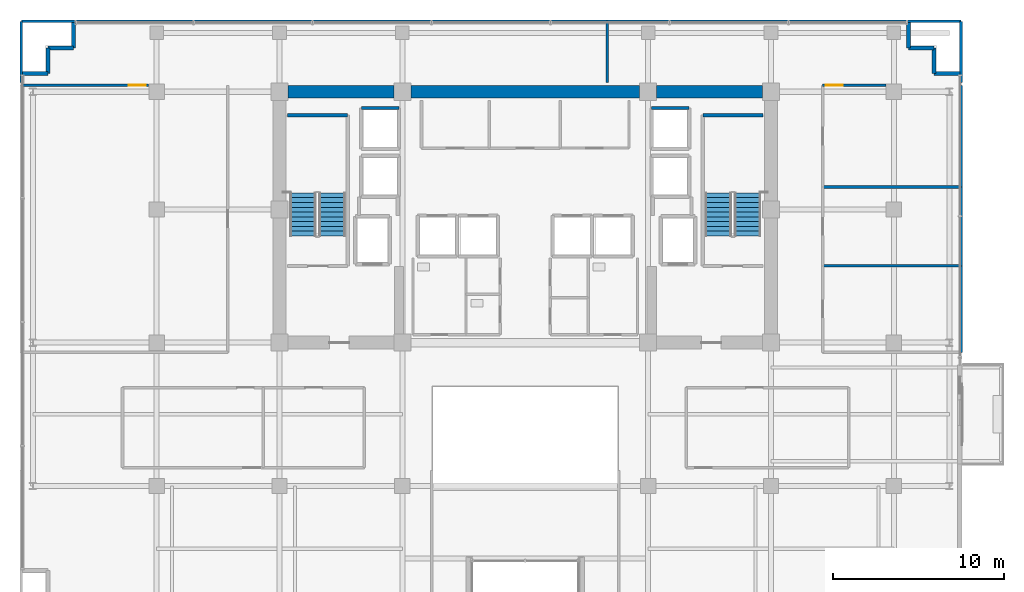
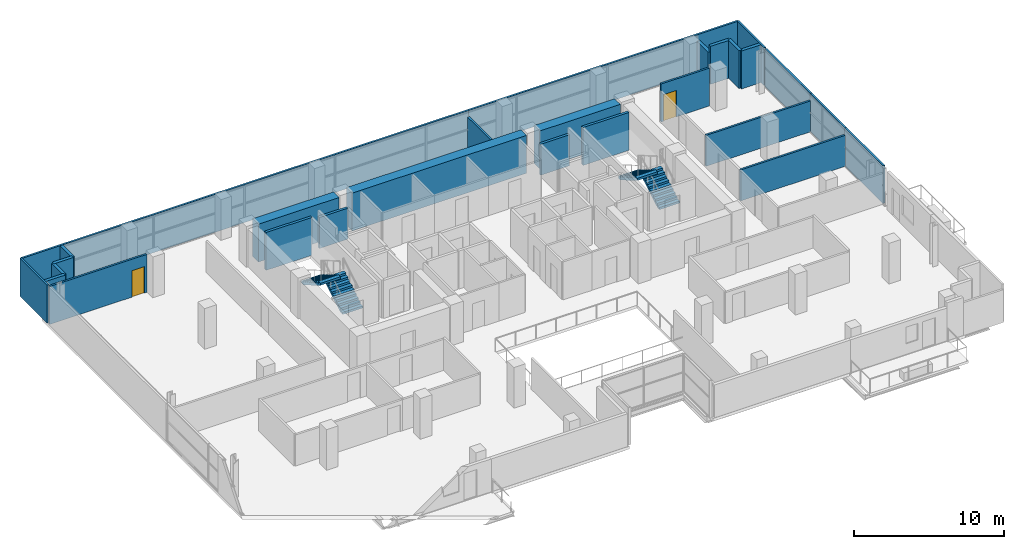
# One storey, part 22 of 25: 27 walls, 4 stair flights, 2 doors, 2 openings, 2 elements without a shape of their own.
"""IFC4 building model written with IfcOpenShell, lengths in metres."""

from ifc_helpers import new_model, si_unit, direction, frame, frame_2d, origin, place, context, subcontext, project, spatial, polyline, rectangle, outline, extrude, source, transform, mapped, material, layer, layer_set, type_object, element, fill, aggregate, save


model = new_model("IFC4")

# Units and contexts
model_context = context("Model", 3, precision=1e-05, world=origin(), true_north=direction((0.0, 1.0)))
body_context = subcontext(model_context, "Body", "Model", "MODEL_VIEW")
ifc_project = project(units=[si_unit("LENGTHUNIT", "METRE"), si_unit("AREAUNIT", "SQUARE_METRE"), si_unit("VOLUMEUNIT", "CUBIC_METRE"), si_unit("PLANEANGLEUNIT", "RADIAN"), si_unit("MASSUNIT", "GRAM", prefix="KILO")], contexts=[model_context])

# Site, building, storey
site_placement = place(None, origin())
site = spatial("IfcSite", under=ifc_project, at=site_placement, CompositionType="ELEMENT")
building_placement = place(site_placement, origin())
building = spatial("IfcBuilding", under=site, at=building_placement, Name="Zarnakvel Exchange Tower", CompositionType="ELEMENT")
storey_placement = place(building_placement, frame((0.0, 0.0, 100.0)))
storey = spatial("IfcBuildingStorey", under=building, at=storey_placement, Name="L27", CompositionType="ELEMENT", Elevation=100.0)

# Walls
ifc_material_1 = material(Name="Concrete C60/75", Category="concrete")
ifc_layer_1 = layer(ifc_material_1, 0.75)
ifc_layer_set_1 = layer_set([ifc_layer_1], Name="Concrete C60/75")
wall_type_1 = type_object("IfcWallType", Name="CW-C3", PredefinedType="SHEAR", material=ifc_layer_set_1)
wall_1_placement = place(storey_placement, frame((-13.89990234375, 13.5, 0.0), z_axis=(0.0, 0.0, 1.0), x_axis=(1.0, 0.0, 0.0)))
element("IfcWall", 1, at=wall_1_placement, inside=storey, type_object=wall_type_1, Name="L27 Rear Core Shear Wall N1 (CW-C3)", PredefinedType="SHEAR", context=body_context, shape_type="SweptSolid", body=[
    extrude(rectangle(XDim=6.199951171875, YDim=0.75, at=frame_2d((3.10009765625, 0.0))), origin(), (0.0, 0.0, 1.0), 3.074951171875),
])
wall_2_placement = place(storey_placement, frame((-6.699951171875, 13.5, 0.0), z_axis=(0.0, 0.0, 1.0), x_axis=(1.0, 0.0, 0.0)))
element("IfcWall", 2, at=wall_2_placement, inside=storey, type_object=wall_type_1, Name="L27 Rear Core Shear Wall N2 (CW-C3)", PredefinedType="SHEAR", context=body_context, shape_type="SweptSolid", body=[
    extrude(rectangle(XDim=13.39990234375, YDim=0.75, at=frame_2d((6.699951171875, 0.0))), origin(), (0.0, 0.0, 1.0), 3.074951171875),
])
wall_3_placement = place(storey_placement, frame((7.699951171875, 13.5, 0.0), z_axis=(0.0, 0.0, 1.0), x_axis=(1.0, 0.0, 0.0)))
element("IfcWall", 3, at=wall_3_placement, inside=storey, type_object=wall_type_1, Name="L27 Rear Core Shear Wall N3 (CW-C3)", PredefinedType="SHEAR", context=body_context, shape_type="SweptSolid", body=[
    extrude(rectangle(XDim=6.199951171875, YDim=0.75, at=frame_2d((3.10009765625, 0.0))), origin(), (0.0, 0.0, 1.0), 3.074951171875),
])
ifc_material_2 = material(Name="Precast concrete C40/50", Category="concrete")
ifc_layer_2 = layer(ifc_material_2, 0.239990234375)
ifc_layer_set_2 = layer_set([ifc_layer_2], Name="Precast concrete C40/50")
wall_type_2 = type_object("IfcWallType", Name="EW-02", PredefinedType="SOLIDWALL", material=ifc_layer_set_2)
for number, where, z_axis, x_axis, name in (
    (4, (-27.9599609375, 14.56005859375, 0.0), (0.0, 0.0, 1.0), (-1.0, 0.0, 0.0), "L27 Exterior Precast Spandrel Wall EWC-L27-01 (EW-02)"),
    (5, (-27.9599609375, 16.06005859375, 0.0), (0.0, 0.0, 1.0), (0.0, -1.0, 0.0), "L27 Exterior Precast Spandrel Wall EWC-L27-02 (EW-02)"),
    (6, (-26.4599609375, 16.06005859375, 0.0), (0.0, 0.0, 1.0), (-1.0, 0.0, 0.0), "L27 Exterior Precast Spandrel Wall EWC-L27-03 (EW-02)"),
    (7, (-26.4599609375, 17.56005859375, 0.0), (0.0, 0.0, 1.0), (0.0, -1.0, 0.0), "L27 Exterior Precast Spandrel Wall EWC-L27-04 (EW-02)"),
):
    element("IfcWall", number, at=place(storey_placement, frame(where, z_axis=z_axis, x_axis=x_axis)), inside=storey, type_object=wall_type_2, Name=name, PredefinedType="SOLIDWALL", context=body_context, shape_type="SweptSolid", body=[
        extrude(rectangle(XDim=1.5, YDim=0.239990234375, at=frame_2d((0.75, 0.0))), origin(), (0.0, 0.0, 1.0), 3.074951171875),
    ])
wall_4_placement = place(storey_placement, frame((22.4599609375, 16.06005859375, 0.0), z_axis=(0.0, 0.0, 1.0), x_axis=(0.0, 1.0, 0.0)))
element("IfcWall", 8, at=wall_4_placement, inside=storey, type_object=wall_type_2, Name="L27 Exterior Precast Spandrel Wall EWC-L27-05 (EW-02)", PredefinedType="SOLIDWALL", context=body_context, shape_type="SweptSolid", body=[
    extrude(rectangle(XDim=1.5, YDim=0.239990234375, at=frame_2d((0.75, 0.0))), origin(), (0.0, 0.0, 1.0), 2.56494140625),
])
for number, where, z_axis, x_axis, name in (
    (9, (23.9599609375, 16.06005859375, 0.0), (0.0, 0.0, 1.0), (-1.0, 0.0, 0.0), "L27 Exterior Precast Spandrel Wall EWC-L27-06 (EW-02)"),
    (10, (23.9599609375, 14.56005859375, 0.0), (0.0, 0.0, 1.0), (0.0, 1.0, 0.0), "L27 Exterior Precast Spandrel Wall EWC-L27-07 (EW-02)"),
    (11, (25.4599609375, 14.56005859375, 0.0), (0.0, 0.0, 1.0), (-1.0, 0.0, 0.0), "L27 Exterior Precast Spandrel Wall EWC-L27-08 (EW-02)"),
):
    element("IfcWall", number, at=place(storey_placement, frame(where, z_axis=z_axis, x_axis=x_axis)), inside=storey, type_object=wall_type_2, Name=name, PredefinedType="SOLIDWALL", context=body_context, shape_type="SweptSolid", body=[
        extrude(rectangle(XDim=1.5, YDim=0.239990234375, at=frame_2d((0.75, 0.0))), origin(), (0.0, 0.0, 1.0), 3.074951171875),
    ])

# Wall, opening, door
ifc_material_3 = material(Name="Fire-Rated Gypsum Stud Partition", Category="gypsum")
ifc_layer_3 = layer(ifc_material_3, 0.14990234375)
ifc_layer_set_3 = layer_set([ifc_layer_3], Name="Fire-Rated Gypsum Stud Partition")
wall_type_3 = type_object("IfcWallType", Name="PT-01", PredefinedType="PARTITIONING", material=ifc_layer_set_3)
wall_5_placement = place(storey_placement, frame((-29.530029296875, 13.8798828125, 0.0), z_axis=(0.0, 0.0, 1.0), x_axis=(1.0, 0.0, 0.0)))
wall_5 = element("IfcWall", 12, at=wall_5_placement, inside=storey, type_object=wall_type_3, Name="L27 Partition Wall PWALL-L27-051 (PT-01)", PredefinedType="PARTITIONING", context=body_context, shape_type="SweptSolid", body=[
    extrude(rectangle(XDim=7.4599609375, YDim=0.14990234375, at=frame_2d((3.72998046875, 0.0))), origin(), (0.0, 0.0, 1.0), 3.074951171875),
])
opening_1_placement = place(wall_5_placement, frame((6.300048828125, 0.0, 0.0)))
opening_1 = element("IfcOpeningElement", 13, at=opening_1_placement, cuts=wall_5, Name="Opening D-L27-23", PredefinedType="OPENING", context=body_context, shape_type="SweptSolid", body=[
    extrude(rectangle(XDim=0.97998046875, YDim=2.14990234375, at=frame_2d((0.489990234375, 1.074951171875))), frame((0.0, 0.0849609375, 0.0), z_axis=(0.0, -1.0, 0.0), x_axis=(1.0, 0.0, 0.0)), (0.0, 0.0, 1.0), 0.169921875),
])
ifc_material_4 = material(Name="Timber Acoustic Veneer", Category="wood")
door_type = type_object("IfcDoorType", Name="DT-05", OperationType="NOTDEFINED", PredefinedType="DOOR", material=ifc_material_4)
shared_shape = source(origin(), body_context, "Body", "SweptSolid", [
    extrude(rectangle(XDim=0.97998046875, YDim=2.14990234375, at=frame_2d((0.489990234375, 1.074951171875))), frame((0.0, 0.02490234375, 0.0), z_axis=(0.0, -1.0, 0.0), x_axis=(1.0, 0.0, 0.0)), (0.0, 0.0, 1.0), 0.050048828125),
])
door_1_placement = place(opening_1_placement, origin())
door_1 = element("IfcDoor", 14, at=door_1_placement, inside=storey, type_object=door_type, Name="L27 Settlement Office Door D-L27-23", OperationType="SINGLE_SWING_RIGHT", OverallHeight=2.14990234375, OverallWidth=0.97998046875, PredefinedType="DOOR", context=body_context, shape_type="MappedRepresentation", body=[
    mapped(shared_shape, transform((0.0, 0.0, 0.0), x_axis=(1.0, 0.0, 0.0), y_axis=(0.0, 1.0, 0.0), z_axis=(0.0, 0.0, 1.0), scale=1.0)),
])
fill(opening_1, door_1)

# Walls
wall_6_placement = place(storey_placement, frame((17.429931640625, 3.2978515625, 0.0), z_axis=(0.0, 0.0, 1.0), x_axis=(1.0, 0.0, 0.0)))
element("IfcWall", 15, at=wall_6_placement, inside=storey, type_object=wall_type_3, Name="L27 Partition Wall PWALL-L27-055 (PT-01)", PredefinedType="PARTITIONING", context=body_context, shape_type="SweptSolid", body=[
    extrude(rectangle(XDim=8.10009765625, YDim=0.14990234375, at=frame_2d((4.050048828125, 0.0))), origin(), (0.0, 0.0, 1.0), 2.514892578125),
])
wall_7_placement = place(storey_placement, frame((25.530029296875, 3.2978515625, 0.0), z_axis=(0.0, 0.0, 1.0), x_axis=(0.0, -1.0, 0.0)))
element("IfcWall", 16, at=wall_7_placement, inside=storey, type_object=wall_type_3, Name="L27 Partition Wall PWALL-L27-057 (PT-01)", PredefinedType="PARTITIONING", context=body_context, shape_type="SweptSolid", body=[
    extrude(rectangle(XDim=5.06787109375, YDim=0.14990234375, at=frame_2d((2.533935546875, 0.0))), origin(), (0.0, 0.0, 1.0), 3.074951171875),
])
wall_8_placement = place(storey_placement, frame((17.429931640625, 7.919677734375, 0.0), z_axis=(0.0, 0.0, 1.0), x_axis=(1.0, 0.0, 0.0)))
element("IfcWall", 17, at=wall_8_placement, inside=storey, type_object=wall_type_3, Name="L27 Partition Wall PWALL-L27-058 (PT-01)", PredefinedType="PARTITIONING", context=body_context, shape_type="SweptSolid", body=[
    extrude(rectangle(XDim=8.10009765625, YDim=0.14990234375, at=frame_2d((4.050048828125, 0.0))), origin(), (0.0, 0.0, 1.0), 2.514892578125),
])
wall_9_placement = place(storey_placement, frame((25.530029296875, 7.919677734375, 0.0), z_axis=(0.0, 0.0, 1.0), x_axis=(0.0, -1.0, 0.0)))
element("IfcWall", 18, at=wall_9_placement, inside=storey, type_object=wall_type_3, Name="L27 Partition Wall PWALL-L27-060 (PT-01)", PredefinedType="PARTITIONING", context=body_context, shape_type="SweptSolid", body=[
    extrude(rectangle(XDim=4.621826171875, YDim=0.14990234375, at=frame_2d((2.31103515625, 0.0))), origin(), (0.0, 0.0, 1.0), 3.074951171875),
])

# Wall, opening, door
wall_10_placement = place(storey_placement, frame((17.429931640625, 13.8798828125, 0.0), z_axis=(0.0, 0.0, 1.0), x_axis=(1.0, 0.0, 0.0)))
wall_10 = element("IfcWall", 19, at=wall_10_placement, inside=storey, type_object=wall_type_3, Name="L27 Partition Wall PWALL-L27-061 (PT-01)", PredefinedType="PARTITIONING", context=body_context, shape_type="SweptSolid", body=[
    extrude(rectangle(XDim=3.699951171875, YDim=0.14990234375, at=frame_2d((1.85009765625, 0.0))), origin(), (0.0, 0.0, 1.0), 3.074951171875),
])
opening_2_placement = place(wall_10_placement, frame((0.179931640625, 0.0, 0.0)))
opening_2 = element("IfcOpeningElement", 20, at=opening_2_placement, cuts=wall_10, Name="Opening D-L27-24", PredefinedType="OPENING", context=body_context, shape_type="SweptSolid", body=[
    extrude(rectangle(XDim=0.97998046875, YDim=2.14990234375, at=frame_2d((0.489990234375, 1.074951171875))), frame((0.0, 0.0849609375, 0.0), z_axis=(0.0, -1.0, 0.0), x_axis=(1.0, 0.0, 0.0)), (0.0, 0.0, 1.0), 0.169921875),
])
door_2_placement = place(opening_2_placement, origin())
door_2 = element("IfcDoor", 21, at=door_2_placement, inside=storey, type_object=door_type, Name="L27 Reception Lounge Door D-L27-24", OperationType="SINGLE_SWING_LEFT", OverallHeight=2.14990234375, OverallWidth=0.97998046875, PredefinedType="DOOR", context=body_context, shape_type="MappedRepresentation", body=[
    mapped(shared_shape, transform((0.0, 0.0, 0.0), x_axis=(1.0, 0.0, 0.0), y_axis=(0.0, 1.0, 0.0), z_axis=(0.0, 0.0, 1.0), scale=1.0)),
])
fill(opening_2, door_2)

# Walls
wall_11_placement = place(storey_placement, frame((25.530029296875, 13.8798828125, 0.0), z_axis=(0.0, 0.0, 1.0), x_axis=(0.0, -1.0, 0.0)))
element("IfcWall", 22, at=wall_11_placement, inside=storey, type_object=wall_type_3, Name="L27 Partition Wall PWALL-L27-063 (PT-01)", PredefinedType="PARTITIONING", context=body_context, shape_type="SweptSolid", body=[
    extrude(rectangle(XDim=5.960205078125, YDim=0.14990234375, at=frame_2d((2.97998046875, 0.0))), origin(), (0.0, 0.0, 1.0), 3.074951171875),
])
wall_12_placement = place(storey_placement, frame((-29.530029296875, 17.6298828125, 0.0), z_axis=(0.0, 0.0, 1.0), x_axis=(1.0, 0.0, 0.0)))
element("IfcWall", 23, at=wall_12_placement, inside=storey, type_object=wall_type_3, Name="L27 Partition Wall PWALL-L27-064 (PT-01)", PredefinedType="PARTITIONING", context=body_context, shape_type="SweptSolid", body=[
    extrude(rectangle(XDim=34.330078125, YDim=0.14990234375, at=frame_2d((17.1650390625, 0.0))), origin(), (0.0, 0.0, 1.0), 3.074951171875),
])
wall_13_placement = place(storey_placement, frame((-29.530029296875, 14.030029296875, 0.0), z_axis=(0.0, 0.0, 1.0), x_axis=(0.0, 1.0, 0.0)))
element("IfcWall", 24, at=wall_13_placement, inside=storey, type_object=wall_type_3, Name="L27 Partition Wall PWALL-L27-065 (PT-01)", PredefinedType="PARTITIONING", context=body_context, shape_type="SweptSolid", body=[
    extrude(rectangle(XDim=3.599853515625, YDim=0.14990234375, at=frame_2d((1.7998046875, 0.0))), origin(), (0.0, 0.0, 1.0), 3.074951171875),
])
wall_14_placement = place(storey_placement, frame((4.800048828125, 17.6298828125, 0.0), z_axis=(0.0, 0.0, 1.0), x_axis=(0.0, -1.0, 0.0)))
element("IfcWall", 25, at=wall_14_placement, inside=storey, type_object=wall_type_3, Name="L27 Partition Wall PWALL-L27-066 (PT-01)", PredefinedType="PARTITIONING", context=body_context, shape_type="SweptSolid", body=[
    extrude(rectangle(XDim=3.599853515625, YDim=0.14990234375, at=frame_2d((1.7998046875, 0.0))), origin(), (0.0, 0.0, 1.0), 2.56494140625),
])
wall_15_placement = place(storey_placement, frame((4.800048828125, 17.6298828125, 0.0), z_axis=(0.0, 0.0, 1.0), x_axis=(1.0, 0.0, 0.0)))
element("IfcWall", 26, at=wall_15_placement, inside=storey, type_object=wall_type_3, Name="L27 Partition Wall PWALL-L27-067 (PT-01)", PredefinedType="PARTITIONING", context=body_context, shape_type="SweptSolid", body=[
    extrude(rectangle(XDim=20.72998046875, YDim=0.14990234375, at=frame_2d((10.364990234375, 0.0))), origin(), (0.0, 0.0, 1.0), 3.074951171875),
])
wall_16_placement = place(storey_placement, frame((25.530029296875, 17.6298828125, 0.0), z_axis=(0.0, 0.0, 1.0), x_axis=(0.0, -1.0, 0.0)))
element("IfcWall", 27, at=wall_16_placement, inside=storey, type_object=wall_type_3, Name="L27 Partition Wall PWALL-L27-068 (PT-01)", PredefinedType="PARTITIONING", context=body_context, shape_type="SweptSolid", body=[
    extrude(rectangle(XDim=3.599853515625, YDim=0.14990234375, at=frame_2d((1.7998046875, 0.0))), origin(), (0.0, 0.0, 1.0), 3.074951171875),
])
ifc_material_5 = material(Name="Concrete C40/50", Category="concrete")
ifc_layer_4 = layer(ifc_material_5, 0.199951171875)
ifc_layer_set_4 = layer_set([ifc_layer_4], Name="Concrete C40/50")
wall_type_4 = type_object("IfcWallType", Name="SW-01", PredefinedType="SOLIDWALL", material=ifc_layer_set_4)
for number, where, z_axis, x_axis, name in (
    (28, (-9.60009765625, 12.550048828125, 0.0), (0.0, 0.0, 1.0), (1.0, 0.0, 0.0), "L27 PL-10 Hoistway Wall North"),
    (29, (7.39990234375, 12.550048828125, 0.0), (0.0, 0.0, 1.0), (1.0, 0.0, 0.0), "L27 PL-12 Hoistway Wall North"),
):
    element("IfcWall", number, at=place(storey_placement, frame(where, z_axis=z_axis, x_axis=x_axis)), inside=storey, type_object=wall_type_4, Name=name, PredefinedType="SOLIDWALL", context=body_context, shape_type="SweptSolid", body=[
        extrude(rectangle(XDim=2.2001953125, YDim=0.199951171875, at=frame_2d((1.10009765625, 0.0))), origin(), (0.0, 0.0, 1.0), 2.514892578125),
    ])
ifc_layer_5 = layer(ifc_material_5, 0.199951171875)
ifc_layer_set_5 = layer_set([ifc_layer_5], Name="Concrete C40/50")
wall_type_5 = type_object("IfcWallType", Name="SW-02", PredefinedType="SOLIDWALL", material=ifc_layer_set_5)
for number, where, z_axis, x_axis, name in (
    (30, (-13.929931640625, 12.1298828125, 0.0), (0.0, 0.0, 1.0), (1.0, 0.0, 0.0), "L27 Stairwell Core Wall PWALL-L27-002 (SW-02)"),
    (31, (10.409912109375, 12.1298828125, 0.0), (0.0, 0.0, 1.0), (1.0, 0.0, 0.0), "L27 Stairwell Core Wall PWALL-L27-005 (SW-02)"),
):
    element("IfcWall", number, at=place(storey_placement, frame(where, z_axis=z_axis, x_axis=x_axis)), inside=storey, type_object=wall_type_5, Name=name, PredefinedType="SOLIDWALL", context=body_context, shape_type="SweptSolid", body=[
        extrude(rectangle(XDim=3.52001953125, YDim=0.199951171875, at=frame_2d((1.760009765625, 0.0))), origin(), (0.0, 0.0, 1.0), 3.074951171875),
    ])

# Stair, stair flights
stair_type = type_object("IfcStairType", Name="STR-01", PredefinedType="HALF_TURN_STAIR", material=ifc_material_5)
stair_1_placement = place(storey_placement, origin())
stair_1 = element("IfcStair", 32, at=stair_1_placement, inside=storey, type_object=stair_type, Name="L27 Protected Core Exit Stair ST-01", PredefinedType="HALF_TURN_STAIR")
stair_flight_type = type_object("IfcStairFlightType", Name="FLT-01", PredefinedType="STRAIGHT", material=ifc_material_5)
stair_flight_1_placement = place(storey_placement, frame((-11.31494140625, 5.050048828125, 0.0), z_axis=(0.0, 0.0, 1.0), x_axis=(0.0, 1.0, 0.0)))
stair_flight_1 = element("IfcStairFlight", 33, at=stair_flight_1_placement, type_object=stair_flight_type, Name="ST-01 flight 1", NumberOfRisers=10, NumberOfTreads=9, PredefinedType="STRAIGHT", RiserHeight=0.165, TreadLength=0.28, context=body_context, shape_type="SweptSolid", body=[
    extrude(outline(polyline([(0.0, 0.0), (0.0, 0.1650390625), (0.280029296875, 0.1650390625), (0.280029296875, 0.330078125), (0.56005859375, 0.330078125), (0.56005859375, 0.4951171875), (0.840087890625, 0.4951171875), (0.840087890625, 0.659912109375), (1.1201171875, 0.659912109375), (1.1201171875, 0.824951171875), (1.39990234375, 0.824951171875), (1.39990234375, 0.989990234375), (1.679931640625, 0.989990234375), (1.679931640625, 1.155029296875), (1.9599609375, 1.155029296875), (1.9599609375, 1.320068359375), (2.239990234375, 1.320068359375), (2.239990234375, 1.485107421875), (2.52001953125, 1.485107421875), (2.52001953125, 1.64990234375), (2.52001953125, 1.31103515625), (0.295166015625, 0.0), (0.0, 0.0)])), frame((0.0, 0.77490234375, 0.0), z_axis=(0.0, -1.0, 0.0), x_axis=(1.0, 0.0, 0.0)), (0.0, 0.0, 1.0), 1.550048828125),
])
stair_flight_2_placement = place(storey_placement, frame((-13.02490234375, 7.570068359375, 1.64990234375), z_axis=(0.0, 0.0, 1.0), x_axis=(0.0, -1.0, 0.0)))
stair_flight_2 = element("IfcStairFlight", 34, at=stair_flight_2_placement, type_object=stair_flight_type, Name="ST-01 flight 2", NumberOfRisers=10, NumberOfTreads=9, PredefinedType="STRAIGHT", RiserHeight=0.165, TreadLength=0.28, context=body_context, shape_type="SweptSolid", body=[
    extrude(outline(polyline([(0.0, 0.0), (0.0, 0.1650390625), (0.280029296875, 0.1650390625), (0.280029296875, 0.330078125), (0.56005859375, 0.330078125), (0.56005859375, 0.4951171875), (0.840087890625, 0.4951171875), (0.840087890625, 0.659912109375), (1.1201171875, 0.659912109375), (1.1201171875, 0.824951171875), (1.39990234375, 0.824951171875), (1.39990234375, 0.989990234375), (1.679931640625, 0.989990234375), (1.679931640625, 1.155029296875), (1.9599609375, 1.155029296875), (1.9599609375, 1.320068359375), (2.239990234375, 1.320068359375), (2.239990234375, 1.485107421875), (2.52001953125, 1.485107421875), (2.52001953125, 1.64990234375), (2.52001953125, 1.31103515625), (0.295166015625, 0.0), (0.0, 0.0)])), frame((0.0, 0.77490234375, 0.0), z_axis=(0.0, -1.0, 0.0), x_axis=(1.0, 0.0, 0.0)), (0.0, 0.0, 1.0), 1.550048828125),
])
aggregate(stair_1, [stair_flight_1, stair_flight_2])

stair_2_placement = place(storey_placement, origin())
stair_2 = element("IfcStair", 35, at=stair_2_placement, inside=storey, type_object=stair_type, Name="L27 Protected Core Exit Stair ST-02", PredefinedType="HALF_TURN_STAIR")
stair_flight_3_placement = place(storey_placement, frame((13.02490234375, 5.050048828125, 0.0), z_axis=(0.0, 0.0, 1.0), x_axis=(0.0, 1.0, 0.0)))
stair_flight_3 = element("IfcStairFlight", 36, at=stair_flight_3_placement, type_object=stair_flight_type, Name="ST-02 flight 1", NumberOfRisers=10, NumberOfTreads=9, PredefinedType="STRAIGHT", RiserHeight=0.165, TreadLength=0.28, context=body_context, shape_type="SweptSolid", body=[
    extrude(outline(polyline([(0.0, 0.0), (0.0, 0.1650390625), (0.280029296875, 0.1650390625), (0.280029296875, 0.330078125), (0.56005859375, 0.330078125), (0.56005859375, 0.4951171875), (0.840087890625, 0.4951171875), (0.840087890625, 0.659912109375), (1.1201171875, 0.659912109375), (1.1201171875, 0.824951171875), (1.39990234375, 0.824951171875), (1.39990234375, 0.989990234375), (1.679931640625, 0.989990234375), (1.679931640625, 1.155029296875), (1.9599609375, 1.155029296875), (1.9599609375, 1.320068359375), (2.239990234375, 1.320068359375), (2.239990234375, 1.485107421875), (2.52001953125, 1.485107421875), (2.52001953125, 1.64990234375), (2.52001953125, 1.31103515625), (0.295166015625, 0.0), (0.0, 0.0)])), frame((0.0, 0.77490234375, 0.0), z_axis=(0.0, -1.0, 0.0), x_axis=(1.0, 0.0, 0.0)), (0.0, 0.0, 1.0), 1.550048828125),
])
stair_flight_4_placement = place(storey_placement, frame((11.31494140625, 7.570068359375, 1.64990234375), z_axis=(0.0, 0.0, 1.0), x_axis=(0.0, -1.0, 0.0)))
stair_flight_4 = element("IfcStairFlight", 37, at=stair_flight_4_placement, type_object=stair_flight_type, Name="ST-02 flight 2", NumberOfRisers=10, NumberOfTreads=9, PredefinedType="STRAIGHT", RiserHeight=0.165, TreadLength=0.28, context=body_context, shape_type="SweptSolid", body=[
    extrude(outline(polyline([(0.0, 0.0), (0.0, 0.1650390625), (0.280029296875, 0.1650390625), (0.280029296875, 0.330078125), (0.56005859375, 0.330078125), (0.56005859375, 0.4951171875), (0.840087890625, 0.4951171875), (0.840087890625, 0.659912109375), (1.1201171875, 0.659912109375), (1.1201171875, 0.824951171875), (1.39990234375, 0.824951171875), (1.39990234375, 0.989990234375), (1.679931640625, 0.989990234375), (1.679931640625, 1.155029296875), (1.9599609375, 1.155029296875), (1.9599609375, 1.320068359375), (2.239990234375, 1.320068359375), (2.239990234375, 1.485107421875), (2.52001953125, 1.485107421875), (2.52001953125, 1.64990234375), (2.52001953125, 1.31103515625), (0.295166015625, 0.0), (0.0, 0.0)])), frame((0.0, 0.77490234375, 0.0), z_axis=(0.0, -1.0, 0.0), x_axis=(1.0, 0.0, 0.0)), (0.0, 0.0, 1.0), 1.550048828125),
])
aggregate(stair_2, [stair_flight_3, stair_flight_4])

save(model, "model.ifc")
